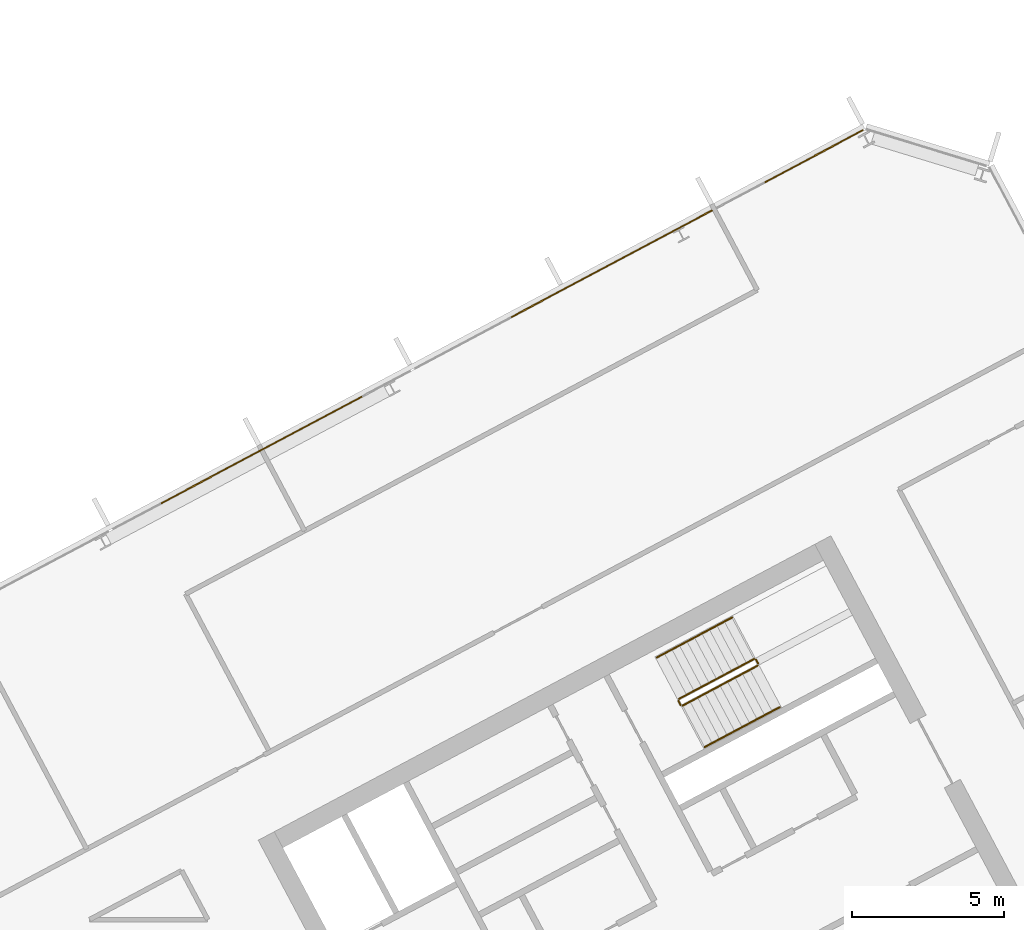
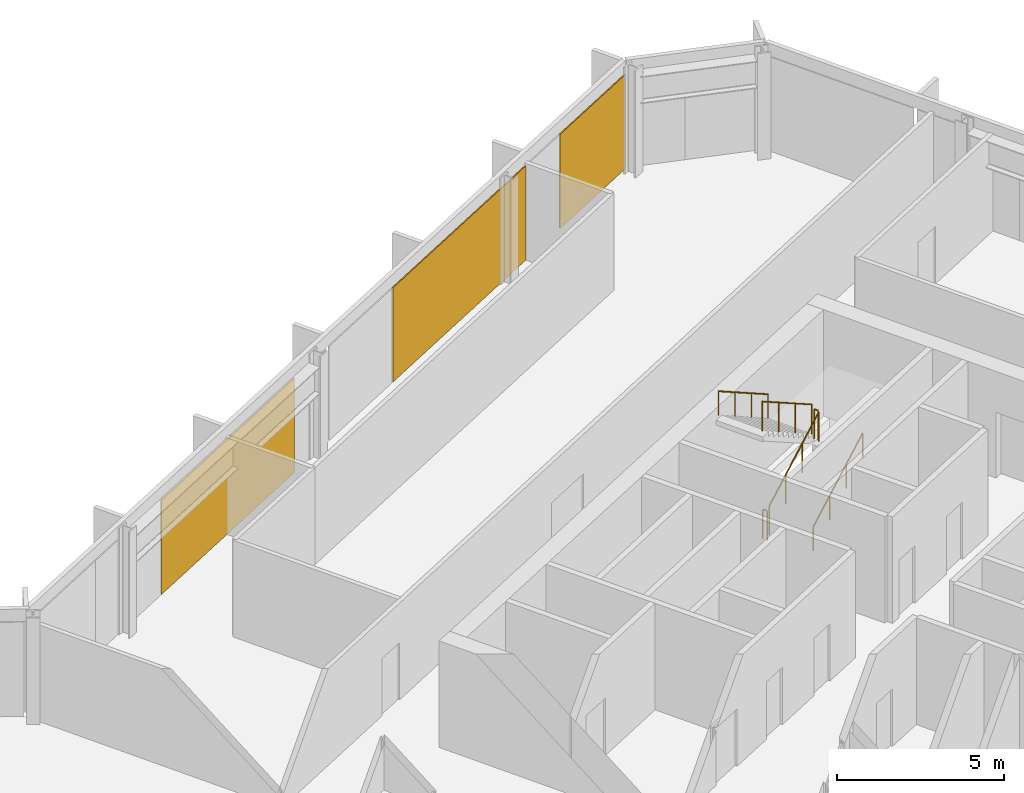
# One storey, part 25 of 26: 6 railings, 3 coverings, 1 element without a shape of its own.
"""IFC4 building model written with IfcOpenShell, lengths in metres."""

import ifcopenshell
import ifcopenshell.guid

model = None  # the IFC model being written
_history = None  # IfcOwnerHistory: only IFC2X3 demands one
_inside = {}  # id of a spatial element -> (the spatial element, [elements in it])
_under = {}  # id of a project, library or spatial element -> (it, [spatial elements below it])
_declared = {}  # id of a project -> (the project, [libraries it declares])
_typed = {}  # id of a type object -> (the type object, [elements of that type])
_made_of = {}  # id of a material, layer set ... -> (it, [elements and type objects made of it])


def new_model(schema):
    """Start an empty IFC model of exactly this schema.

    Asked for "IFC4X3", IfcOpenShell would pick the latest addendum, in which some entities
    have other attributes; the version numbers below select the first issue.
    IFC2X3 requires an IfcOwnerHistory on every rooted entity: one is made here for all.
    """
    global model, _history
    if schema == "IFC4X3":
        model = ifcopenshell.file(schema_version=(4, 3, 0, 0))
    else:
        model = ifcopenshell.file(schema=schema)
    _inside.clear()
    _under.clear()
    _declared.clear()
    _typed.clear()
    _made_of.clear()
    _history = None
    if model.schema == "IFC2X3":
        org = make("IfcOrganization", Name="unknown")
        user = make(
            "IfcPersonAndOrganization",
            ThePerson=make("IfcPerson", FamilyName="unknown"),
            TheOrganization=org,
        )
        app = make(
            "IfcApplication",
            ApplicationDeveloper=org,
            Version="unknown",
            ApplicationFullName="unknown",
            ApplicationIdentifier="unknown",
        )
        _history = make(
            "IfcOwnerHistory",
            OwningUser=user,
            OwningApplication=app,
            ChangeAction="ADDED",
            CreationDate=0,
        )
    return model


def make(cls, **values):
    """One entity of the class cls with the attributes given. An attribute that is None is left unset."""
    return model.create_entity(
        cls, **{name: value for name, value in values.items() if value is not None}
    )


def rooted(cls, **values):
    """An entity with a GlobalId (a new one), such as an element, a storey or a relation."""
    return make(cls, GlobalId=ifcopenshell.guid.new(), OwnerHistory=_history, **values)


def si_unit(unit_type, name, prefix=None):
    """IfcSIUnit, for example si_unit("LENGTHUNIT", "METRE", prefix="MILLI")."""
    return make("IfcSIUnit", UnitType=unit_type, Prefix=prefix, Name=name)


def assignment(units):
    """IfcUnitAssignment: the units of a project."""
    return None if units is None else make("IfcUnitAssignment", Units=units)


def point(xyz):
    """IfcCartesianPoint."""
    return None if xyz is None else make("IfcCartesianPoint", Coordinates=xyz)


def direction(xyz):
    """IfcDirection."""
    return None if xyz is None else make("IfcDirection", DirectionRatios=xyz)


def frame(location, z_axis=None, x_axis=None):
    """IfcAxis2Placement3D, a coordinate frame: its origin and axes. An axis left out is left unset."""
    return make(
        "IfcAxis2Placement3D",
        Location=point(location),
        Axis=direction(z_axis),
        RefDirection=direction(x_axis),
    )


def frame_2d(location, x_axis=None):
    """IfcAxis2Placement2D, a coordinate frame in the plane: its origin and x axis."""
    return make(
        "IfcAxis2Placement2D", Location=point(location), RefDirection=direction(x_axis)
    )


def origin():
    """The frame at (0, 0, 0) with its axes left unset."""
    return frame((0.0, 0.0, 0.0))


def origin_2d():
    """The frame at (0, 0) in the plane with its x axis left unset."""
    return frame_2d((0.0, 0.0))


def place(relative_to, where):
    """IfcLocalPlacement: puts the frame where relative to a parent placement (None: the world)."""
    return make(
        "IfcLocalPlacement", PlacementRelTo=relative_to, RelativePlacement=where
    )


def context(
    kind, dimensions, precision=None, world=None, true_north=None, identifier=None
):
    """IfcGeometricRepresentationContext, for example the 3D "Model" context."""
    return make(
        "IfcGeometricRepresentationContext",
        ContextIdentifier=identifier,
        ContextType=kind,
        CoordinateSpaceDimension=dimensions,
        Precision=precision,
        WorldCoordinateSystem=world,
        TrueNorth=true_north,
    )


def subcontext(parent, identifier, kind, view, scale=None):
    """IfcGeometricRepresentationSubContext, for example "Body" below "Model"."""
    return make(
        "IfcGeometricRepresentationSubContext",
        ContextIdentifier=identifier,
        ContextType=kind,
        ParentContext=parent,
        TargetScale=scale,
        TargetView=view,
    )


def project(units=None, contexts=None):
    """IfcProject with its units and contexts."""
    return rooted(
        "IfcProject",
        Name="project",
        RepresentationContexts=contexts,
        UnitsInContext=assignment(units),
    )


def spatial(cls, under=None, at=None, **own):
    """A site, building, storey or space (cls), placed at a placement, below another one or the project."""
    s = rooted(cls, ObjectPlacement=at, **own)
    if under is not None:
        _under.setdefault(under.id(), (under, []))[1].append(s)
    return s


def polyline(points):
    """IfcPolyline through the points."""
    return make("IfcPolyline", Points=[point(p) for p in points])


def profile(cls, at=None, kind="AREA", **sizes):
    """A parametric profile (cls). Its sizes go by their IFC names, for example OverallWidth=200.0."""
    return make(cls, ProfileType=kind, Position=at, **sizes)


def rectangle(**sizes):
    """IfcRectangleProfileDef."""
    return profile("IfcRectangleProfileDef", **sizes)


def outline(outer, holes=None, kind="AREA"):
    """IfcArbitraryClosedProfileDef: a profile drawn as a closed curve; with holes, ...WithVoids."""
    if holes is None:
        return make("IfcArbitraryClosedProfileDef", ProfileType=kind, OuterCurve=outer)
    return make(
        "IfcArbitraryProfileDefWithVoids",
        ProfileType=kind,
        OuterCurve=outer,
        InnerCurves=holes,
    )


def extrude(swept, where, along, depth):
    """IfcExtrudedAreaSolid: the profile swept, set in the frame where, extruded along a direction by depth."""
    return make(
        "IfcExtrudedAreaSolid",
        SweptArea=swept,
        Position=where,
        ExtrudedDirection=direction(along),
        Depth=depth,
    )


def shape(context_of_items, identifier, shape_type, items):
    """IfcShapeRepresentation: the items that make up one representation, for example the "Body"."""
    return make(
        "IfcShapeRepresentation",
        ContextOfItems=context_of_items,
        RepresentationIdentifier=identifier,
        RepresentationType=shape_type,
        Items=items,
    )


def material(Name=None, Category=None):
    """IfcMaterial."""
    return make("IfcMaterial", Name=Name, Category=Category)


def layer(
    of_material, thickness, ventilated=None, Name=None, Category=None, Priority=None
):
    """IfcMaterialLayer: one layer of a wall or slab, of a material (None: an air gap)."""
    return make(
        "IfcMaterialLayer",
        Material=of_material,
        LayerThickness=thickness,
        IsVentilated=ventilated,
        Name=Name,
        Category=Category,
        Priority=Priority,
    )


def layer_set(layers, Name=None):
    """IfcMaterialLayerSet."""
    return make("IfcMaterialLayerSet", MaterialLayers=layers, LayerSetName=Name)


def made_of(thing, what):
    """Note that an element or type object is made of a material, layer set ...; save() writes the relation."""
    if what is not None:
        _made_of.setdefault(what.id(), (what, []))[1].append(thing)
    return thing


def type_object(cls, material=None, **own):
    """A type object (cls), such as IfcWallType, which elements share."""
    return made_of(rooted(cls, **own), material)


def element(
    cls,
    number,
    at=None,
    inside=None,
    cuts=None,
    type_object=None,
    material=None,
    context=None,
    identifier="Body",
    shape_type=None,
    held_by="IfcProductDefinitionShape",
    body=None,
    shapes=None,
    **own,
):
    """One element of the class cls, such as IfcWall. Its Tag is "e" and its number.

    at: its placement. inside: the storey or other place that contains it. cuts: it is an
    opening in that element (IfcRelVoidsElement). A single representation is given by context,
    identifier, shape_type and body (its items); several are given by shapes. held_by: the class
    of the entity that holds the representations. save() writes the other relations.
    """
    e = rooted(cls, Tag="e%d" % number, ObjectPlacement=at, **own)
    if body is not None:
        shapes = [shape(context, identifier, shape_type, body)]
    if shapes is not None:
        e.Representation = make(held_by, Representations=shapes)
    if inside is not None:
        _inside.setdefault(inside.id(), (inside, []))[1].append(e)
    if cuts is not None:
        rooted(
            "IfcRelVoidsElement", RelatingBuildingElement=cuts, RelatedOpeningElement=e
        )
    if type_object is not None:
        _typed.setdefault(type_object.id(), (type_object, []))[1].append(e)
    return made_of(e, material)


def aggregate(whole, parts):
    """IfcRelAggregates: a whole, such as a stair, and the parts it consists of."""
    return rooted("IfcRelAggregates", RelatingObject=whole, RelatedObjects=parts)


def save(model, path):
    """Write the relations noted so far, then the file.

    IfcRelAggregates (storeys below a building ...), IfcRelContainedInSpatialStructure (elements
    in a storey), IfcRelDefinesByType, IfcRelAssociatesMaterial and IfcRelDeclares: one each for
    every whole, place, type object, material and project.
    """
    for whole, parts in _under.values():
        aggregate(whole, parts)
    for where, things in _inside.values():
        rooted(
            "IfcRelContainedInSpatialStructure",
            RelatedElements=things,
            RelatingStructure=where,
        )
    for kind, things in _typed.values():
        rooted("IfcRelDefinesByType", RelatedObjects=things, RelatingType=kind)
    for what, things in _made_of.values():
        rooted("IfcRelAssociatesMaterial", RelatedObjects=things, RelatingMaterial=what)
    for by, libraries in _declared.values():
        rooted("IfcRelDeclares", RelatingContext=by, RelatedDefinitions=libraries)
    model.write(path)


model = new_model("IFC4")

# Units and contexts
model_context = context("Model", 3, precision=1e-05, world=origin(), true_north=direction((0.0, 1.0)))
body_context = subcontext(model_context, "Body", "Model", "MODEL_VIEW")
ifc_project = project(units=[si_unit("LENGTHUNIT", "METRE"), si_unit("AREAUNIT", "SQUARE_METRE"), si_unit("VOLUMEUNIT", "CUBIC_METRE"), si_unit("PLANEANGLEUNIT", "RADIAN"), si_unit("MASSUNIT", "GRAM", prefix="KILO")], contexts=[model_context])

# Site, building, storey
site_placement = place(None, origin())
site = spatial("IfcSite", under=ifc_project, at=site_placement, CompositionType="ELEMENT")
building_placement = place(site_placement, origin())
building = spatial("IfcBuilding", under=site, at=building_placement, Name="Cormorant Relay Tower", CompositionType="ELEMENT")
storey_placement = place(building_placement, frame((0.0, 0.0, 220.800048828125)))
storey = spatial("IfcBuildingStorey", under=building, at=storey_placement, Name="L48", CompositionType="ELEMENT", Elevation=220.800048828125)

# Curtain wall, coverings
ifc_material_1 = material(Name="Aluminium 6063-T6 anodised bronze", Category="aluminium")
ifc_layer_1 = layer(ifc_material_1, 0.199951171875)
ifc_layer_set_1 = layer_set([ifc_layer_1], Name="CW1 unitised bronze curtain wall with vertical fins")
curtain_wall_type = type_object("IfcCurtainWallType", Name="CW1 unitised bronze curtain wall with vertical fins", PredefinedType="NOTDEFINED", material=ifc_layer_set_1)
curtain_wall_placement = place(storey_placement, origin())
curtain_wall = element("IfcCurtainWall", 1, at=curtain_wall_placement, inside=storey, type_object=curtain_wall_type, Name="CW1 curtain wall 8", PredefinedType="NOTDEFINED")
ifc_material_2 = material(Name="Pale bronze anodised aluminium insulated panel", Category="aluminium")
ifc_layer_2 = layer(ifc_material_2, 0.0400390625)
ifc_layer_set_2 = layer_set([ifc_layer_2], Name="CW1 pale bronze insulated panel 40")
covering_type = type_object("IfcCoveringType", Name="CW1 pale bronze insulated panel 40", PredefinedType="CLADDING", material=ifc_layer_set_2)
covering_1_placement = place(storey_placement, frame((28.16943359375, 38.78466796875, 0.0), z_axis=(0.0, 0.0, 1.0), x_axis=(-0.882947592859, -0.469471562786, 0.0)))
covering_1 = element("IfcCovering", 2, at=covering_1_placement, type_object=covering_type, Name="CW1 panel S00", PredefinedType="CLADDING", context=body_context, shape_type="SweptSolid", body=[
    extrude(rectangle(XDim=3.68896484375, YDim=0.0400390625, at=origin_2d()), origin(), (0.0, 0.0, 1.0), 3.449951171875),
])
covering_2_placement = place(storey_placement, frame((21.49560546875, 35.236083984375, 0.0), z_axis=(0.0, 0.0, 1.0), x_axis=(-0.882947592859, -0.469471562786, 0.0)))
covering_2 = element("IfcCovering", 3, at=covering_2_placement, type_object=covering_type, Name="CW1 panel S02", PredefinedType="CLADDING", context=body_context, shape_type="SweptSolid", body=[
    extrude(rectangle(XDim=7.528076171875, YDim=0.0400390625, at=origin_2d()), origin(), (0.0, 0.0, 1.0), 3.449951171875),
])
covering_3_placement = place(storey_placement, frame((9.948486328125, 29.09619140625, 0.0), z_axis=(0.0, 0.0, 1.0), x_axis=(-0.882947592859, -0.469471562786, 0.0)))
covering_3 = element("IfcCovering", 4, at=covering_3_placement, type_object=covering_type, Name="CW1 panel S05", PredefinedType="CLADDING", context=body_context, shape_type="SweptSolid", body=[
    extrude(rectangle(XDim=7.528076171875, YDim=0.0400390625, at=origin_2d()), origin(), (0.0, 0.0, 1.0), 3.449951171875),
])
aggregate(curtain_wall, [covering_1, covering_2, covering_3])

# Railings
ifc_material_3 = material(Name="Steel ASTM A572 Grade 50 (Fy 345 MPa)", Category="steel")
railing_type_1 = type_object("IfcRailingType", Name="Stair guard 1100", PredefinedType="GUARDRAIL", material=ifc_material_3)
railing_1_placement = place(storey_placement, frame((23.8408203125, 20.6611328125, 0.17724609375)))
element("IfcRailing", 5, at=railing_1_placement, inside=storey, type_object=railing_type_1, Name="L48 B2 stair guard 1", PredefinedType="GUARDRAIL", context=body_context, shape_type="SweptSolid", body=[
    extrude(outline(polyline([(0.022216796875, 0.00927734375), (0.00927734375, 0.022216796875), (-0.00927734375, 0.022216796875), (-0.022216796875, 0.00927734375), (-0.022216796875, -0.00927734375), (-0.00927734375, -0.022216796875), (0.00927734375, -0.022216796875), (0.022216796875, -0.00927734375), (0.022216796875, 0.00927734375)])), frame((0.0, 0.0, 1.076171875), z_axis=(0.746033882577, 0.396627473466, 0.534901947407), x_axis=(-0.469429322983, 0.882970050864, 0.0)), (0.0, 0.0, 1.0), 3.31396484375),
    extrude(outline(polyline([(0.019287109375, 0.008056640625), (0.008056640625, 0.019287109375), (-0.008056640625, 0.019287109375), (-0.019287109375, 0.008056640625), (-0.019287109375, -0.008056640625), (-0.008056640625, -0.019287109375), (0.008056640625, -0.019287109375), (0.019287109375, -0.008056640625), (0.019287109375, 0.008056640625)])), origin(), (0.0, 0.0, 1.0), 1.052001953125),
    extrude(outline(polyline([(0.019287109375, 0.008056640625), (0.008056640625, 0.019287109375), (-0.008056640625, 0.019287109375), (-0.019287109375, 0.008056640625), (-0.019287109375, -0.008056640625), (-0.008056640625, -0.019287109375), (0.008056640625, -0.019287109375), (0.019287109375, -0.008056640625), (0.019287109375, 0.008056640625)])), frame((0.82421875, 0.438232421875, 0.5908203125)), (0.0, 0.0, 1.0), 1.052001953125),
    extrude(outline(polyline([(0.019287109375, 0.008056640625), (0.008056640625, 0.019287109375), (-0.008056640625, 0.019287109375), (-0.019287109375, 0.008056640625), (-0.019287109375, -0.008056640625), (-0.008056640625, -0.019287109375), (0.008056640625, -0.019287109375), (0.019287109375, -0.008056640625), (0.019287109375, 0.008056640625)])), frame((1.648193359375, 0.876220703125, 1.181884765625)), (0.0, 0.0, 1.0), 1.052001953125),
    extrude(outline(polyline([(0.019287109375, 0.008056640625), (0.008056640625, 0.019287109375), (-0.008056640625, 0.019287109375), (-0.019287109375, 0.008056640625), (-0.019287109375, -0.008056640625), (-0.008056640625, -0.019287109375), (0.008056640625, -0.019287109375), (0.019287109375, -0.008056640625), (0.019287109375, 0.008056640625)])), frame((2.472412109375, 1.314453125, 1.772705078125)), (0.0, 0.0, 1.0), 1.052001953125),
])
railing_2_placement = place(storey_placement, frame((26.333740234375, 22.043212890625, 1.949951171875)))
element("IfcRailing", 6, at=railing_2_placement, inside=storey, type_object=railing_type_1, Name="L48 B2 stair guard 2", PredefinedType="GUARDRAIL", context=body_context, shape_type="SweptSolid", body=[
    extrude(outline(polyline([(0.022216796875, 0.00927734375), (0.00927734375, 0.022216796875), (-0.00927734375, 0.022216796875), (-0.022216796875, 0.00927734375), (-0.022216796875, -0.00927734375), (-0.00927734375, -0.022216796875), (0.00927734375, -0.022216796875), (0.022216796875, -0.00927734375), (0.022216796875, 0.00927734375)])), frame((0.0, 0.0, 1.076171875), z_axis=(-0.469234640946, 0.883073525669, 0.0), x_axis=(-0.883073525669, -0.469234640946, 0.0)), (0.0, 0.0, 1.0), 0.14990234375),
    extrude(outline(polyline([(0.019287109375, 0.008056640625), (0.008056640625, 0.019287109375), (-0.008056640625, 0.019287109375), (-0.019287109375, 0.008056640625), (-0.019287109375, -0.008056640625), (-0.008056640625, -0.019287109375), (0.008056640625, -0.019287109375), (0.019287109375, -0.008056640625), (0.019287109375, 0.008056640625)])), origin(), (0.0, 0.0, 1.0), 1.052001953125),
    extrude(outline(polyline([(0.019287109375, 0.008056640625), (0.008056640625, 0.019287109375), (-0.008056640625, 0.019287109375), (-0.019287109375, 0.008056640625), (-0.019287109375, -0.008056640625), (-0.008056640625, -0.019287109375), (0.008056640625, -0.019287109375), (0.019287109375, -0.008056640625), (0.019287109375, 0.008056640625)])), frame((-0.0703125, 0.13232421875, 0.0)), (0.0, 0.0, 1.0), 1.052001953125),
])
railing_3_placement = place(storey_placement, frame((26.19580078125, 22.1962890625, 2.127197265625)))
element("IfcRailing", 7, at=railing_3_placement, inside=storey, type_object=railing_type_1, Name="L48 B2 stair guard 3", PredefinedType="GUARDRAIL", context=body_context, shape_type="SweptSolid", body=[
    extrude(outline(polyline([(0.022216796875, 0.00927734375), (0.00927734375, 0.022216796875), (-0.00927734375, 0.022216796875), (-0.022216796875, 0.00927734375), (-0.022216796875, -0.00927734375), (-0.00927734375, -0.022216796875), (0.00927734375, -0.022216796875), (0.022216796875, -0.00927734375), (0.022216796875, 0.00927734375)])), frame((0.0, 0.0, 1.076171875), z_axis=(-0.746033882577, -0.396627473466, 0.534901947407), x_axis=(0.469429322983, -0.882970050864, 0.0)), (0.0, 0.0, 1.0), 3.31396484375),
    extrude(outline(polyline([(0.019287109375, 0.008056640625), (0.008056640625, 0.019287109375), (-0.008056640625, 0.019287109375), (-0.019287109375, 0.008056640625), (-0.019287109375, -0.008056640625), (-0.008056640625, -0.019287109375), (0.008056640625, -0.019287109375), (0.019287109375, -0.008056640625), (0.019287109375, 0.008056640625)])), origin(), (0.0, 0.0, 1.0), 1.052001953125),
    extrude(outline(polyline([(0.019287109375, 0.008056640625), (0.008056640625, 0.019287109375), (-0.008056640625, 0.019287109375), (-0.019287109375, 0.008056640625), (-0.019287109375, -0.008056640625), (-0.008056640625, -0.019287109375), (0.008056640625, -0.019287109375), (0.019287109375, -0.008056640625), (0.019287109375, 0.008056640625)])), frame((-0.82421875, -0.438232421875, 0.5908203125)), (0.0, 0.0, 1.0), 1.052001953125),
    extrude(outline(polyline([(0.019287109375, 0.008056640625), (0.008056640625, 0.019287109375), (-0.008056640625, 0.019287109375), (-0.019287109375, 0.008056640625), (-0.019287109375, -0.008056640625), (-0.008056640625, -0.019287109375), (0.008056640625, -0.019287109375), (0.019287109375, -0.008056640625), (0.019287109375, 0.008056640625)])), frame((-1.648193359375, -0.876220703125, 1.181884765625)), (0.0, 0.0, 1.0), 1.052001953125),
    extrude(outline(polyline([(0.019287109375, 0.008056640625), (0.008056640625, 0.019287109375), (-0.008056640625, 0.019287109375), (-0.019287109375, 0.008056640625), (-0.019287109375, -0.008056640625), (-0.008056640625, -0.019287109375), (0.008056640625, -0.019287109375), (0.019287109375, -0.008056640625), (0.019287109375, 0.008056640625)])), frame((-2.472412109375, -1.314453125, 1.772705078125)), (0.0, 0.0, 1.0), 1.052001953125),
])
railing_4_placement = place(storey_placement, frame((23.773193359375, 20.681640625, 0.0)))
element("IfcRailing", 8, at=railing_4_placement, inside=storey, type_object=railing_type_1, Name="L48 B2 stair guard 4", PredefinedType="GUARDRAIL", context=body_context, shape_type="SweptSolid", body=[
    extrude(outline(polyline([(0.022216796875, 0.00927734375), (0.00927734375, 0.022216796875), (-0.00927734375, 0.022216796875), (-0.022216796875, 0.00927734375), (-0.022216796875, -0.00927734375), (-0.00927734375, -0.022216796875), (0.00927734375, -0.022216796875), (0.022216796875, -0.00927734375), (0.022216796875, 0.00927734375)])), frame((0.0, 0.0, 1.076171875), z_axis=(-0.46856034887, 0.8834314911, 0.0), x_axis=(-0.8834314911, -0.46856034887, 0.0)), (0.0, 0.0, 1.0), 0.150146484375),
    extrude(outline(polyline([(0.019287109375, 0.008056640625), (0.008056640625, 0.019287109375), (-0.008056640625, 0.019287109375), (-0.019287109375, 0.008056640625), (-0.019287109375, -0.008056640625), (-0.008056640625, -0.019287109375), (0.008056640625, -0.019287109375), (0.019287109375, -0.008056640625), (0.019287109375, 0.008056640625)])), origin(), (0.0, 0.0, 1.0), 1.052001953125),
    extrude(outline(polyline([(0.019287109375, 0.008056640625), (0.008056640625, 0.019287109375), (-0.008056640625, 0.019287109375), (-0.019287109375, 0.008056640625), (-0.019287109375, -0.008056640625), (-0.008056640625, -0.019287109375), (0.008056640625, -0.019287109375), (0.019287109375, -0.008056640625), (0.019287109375, 0.008056640625)])), frame((-0.0703125, 0.132568359375, 0.0)), (0.0, 0.0, 1.0), 1.052001953125),
])
ifc_material_4 = material(Name="Steel ASTM A572 Grade 50 (Fy 345 MPa)", Category="steel")
railing_type_2 = type_object("IfcRailingType", Name="Stair handrail 900", PredefinedType="HANDRAIL", material=ifc_material_4)
railing_5_placement = place(storey_placement, frame((24.568603515625, 19.29248046875, 0.17724609375)))
element("IfcRailing", 9, at=railing_5_placement, inside=storey, type_object=railing_type_2, Name="L48 B2 stair handrail 1", PredefinedType="HANDRAIL", context=body_context, shape_type="SweptSolid", body=[
    extrude(outline(polyline([(0.022216796875, 0.00927734375), (0.00927734375, 0.022216796875), (-0.00927734375, 0.022216796875), (-0.022216796875, 0.00927734375), (-0.022216796875, -0.00927734375), (-0.00927734375, -0.022216796875), (0.00927734375, -0.022216796875), (0.022216796875, -0.00927734375), (0.022216796875, 0.00927734375)])), frame((0.0, 0.0, 0.8759765625), z_axis=(0.746001213114, 0.396649272309, 0.534931345884), x_axis=(-0.469465464807, 0.882950835185, 0.0)), (0.0, 0.0, 1.0), 3.31396484375),
    extrude(outline(polyline([(0.019287109375, 0.008056640625), (0.008056640625, 0.019287109375), (-0.008056640625, 0.019287109375), (-0.019287109375, 0.008056640625), (-0.019287109375, -0.008056640625), (-0.008056640625, -0.019287109375), (0.008056640625, -0.019287109375), (0.019287109375, -0.008056640625), (0.019287109375, 0.008056640625)])), origin(), (0.0, 0.0, 1.0), 0.851806640625),
    extrude(outline(polyline([(0.019287109375, 0.008056640625), (0.008056640625, 0.019287109375), (-0.008056640625, 0.019287109375), (-0.019287109375, 0.008056640625), (-0.019287109375, -0.008056640625), (-0.008056640625, -0.019287109375), (0.008056640625, -0.019287109375), (0.019287109375, -0.008056640625), (0.019287109375, 0.008056640625)])), frame((0.823974609375, 0.438232421875, 0.5908203125)), (0.0, 0.0, 1.0), 0.851806640625),
    extrude(outline(polyline([(0.019287109375, 0.008056640625), (0.008056640625, 0.019287109375), (-0.008056640625, 0.019287109375), (-0.019287109375, 0.008056640625), (-0.019287109375, -0.008056640625), (-0.008056640625, -0.019287109375), (0.008056640625, -0.019287109375), (0.019287109375, -0.008056640625), (0.019287109375, 0.008056640625)])), frame((1.648193359375, 0.876220703125, 1.181884765625)), (0.0, 0.0, 1.0), 0.851806640625),
    extrude(outline(polyline([(0.019287109375, 0.008056640625), (0.008056640625, 0.019287109375), (-0.008056640625, 0.019287109375), (-0.019287109375, 0.008056640625), (-0.019287109375, -0.008056640625), (-0.008056640625, -0.019287109375), (0.008056640625, -0.019287109375), (0.019287109375, -0.008056640625), (0.019287109375, 0.008056640625)])), frame((2.47216796875, 1.314453125, 1.772705078125)), (0.0, 0.0, 1.0), 0.851806640625),
])
railing_6_placement = place(storey_placement, frame((25.468017578125, 23.56494140625, 2.127197265625)))
element("IfcRailing", 10, at=railing_6_placement, inside=storey, type_object=railing_type_2, Name="L48 B2 stair handrail 2", PredefinedType="HANDRAIL", context=body_context, shape_type="SweptSolid", body=[
    extrude(outline(polyline([(0.022216796875, 0.00927734375), (0.00927734375, 0.022216796875), (-0.00927734375, 0.022216796875), (-0.022216796875, 0.00927734375), (-0.022216796875, -0.00927734375), (-0.00927734375, -0.022216796875), (0.00927734375, -0.022216796875), (0.022216796875, -0.00927734375), (0.022216796875, 0.00927734375)])), frame((0.0, 0.0, 0.8759765625), z_axis=(-0.745979412481, -0.396711350603, 0.534915713414), x_axis=(0.469533439143, -0.882914689835, 0.0)), (0.0, 0.0, 1.0), 3.31396484375),
    extrude(outline(polyline([(0.019287109375, 0.008056640625), (0.008056640625, 0.019287109375), (-0.008056640625, 0.019287109375), (-0.019287109375, 0.008056640625), (-0.019287109375, -0.008056640625), (-0.008056640625, -0.019287109375), (0.008056640625, -0.019287109375), (0.019287109375, -0.008056640625), (0.019287109375, 0.008056640625)])), origin(), (0.0, 0.0, 1.0), 0.851806640625),
    extrude(outline(polyline([(0.019287109375, 0.008056640625), (0.008056640625, 0.019287109375), (-0.008056640625, 0.019287109375), (-0.019287109375, 0.008056640625), (-0.019287109375, -0.008056640625), (-0.008056640625, -0.019287109375), (0.008056640625, -0.019287109375), (0.019287109375, -0.008056640625), (0.019287109375, 0.008056640625)])), frame((-0.823974609375, -0.438232421875, 0.5908203125)), (0.0, 0.0, 1.0), 0.851806640625),
    extrude(outline(polyline([(0.019287109375, 0.008056640625), (0.008056640625, 0.019287109375), (-0.008056640625, 0.019287109375), (-0.019287109375, 0.008056640625), (-0.019287109375, -0.008056640625), (-0.008056640625, -0.019287109375), (0.008056640625, -0.019287109375), (0.019287109375, -0.008056640625), (0.019287109375, 0.008056640625)])), frame((-1.648193359375, -0.87646484375, 1.181884765625)), (0.0, 0.0, 1.0), 0.851806640625),
    extrude(outline(polyline([(0.019287109375, 0.008056640625), (0.008056640625, 0.019287109375), (-0.008056640625, 0.019287109375), (-0.019287109375, 0.008056640625), (-0.019287109375, -0.008056640625), (-0.008056640625, -0.019287109375), (0.008056640625, -0.019287109375), (0.019287109375, -0.008056640625), (0.019287109375, 0.008056640625)])), frame((-2.47216796875, -1.314697265625, 1.772705078125)), (0.0, 0.0, 1.0), 0.851806640625),
])

save(model, "model.ifc")
